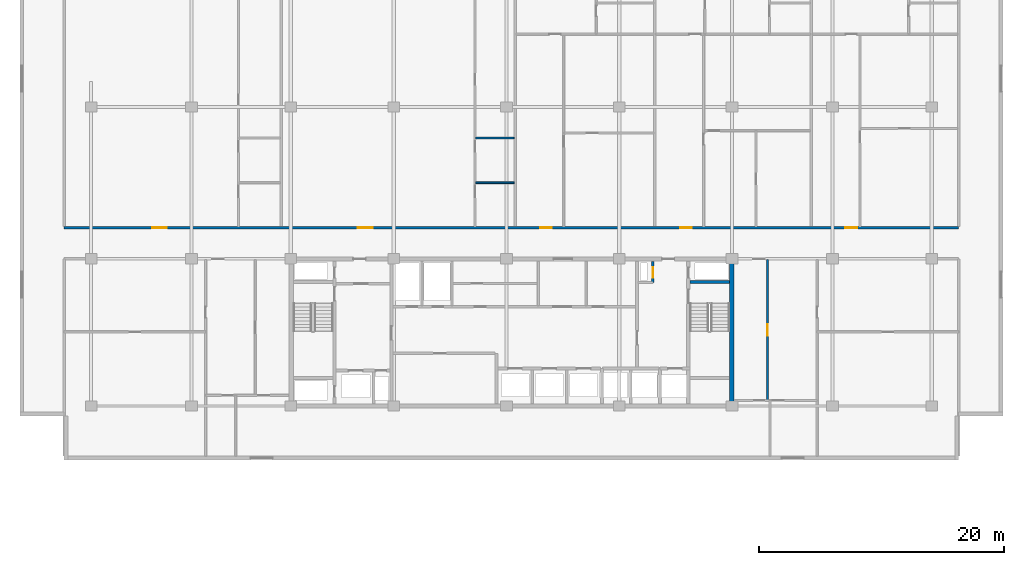
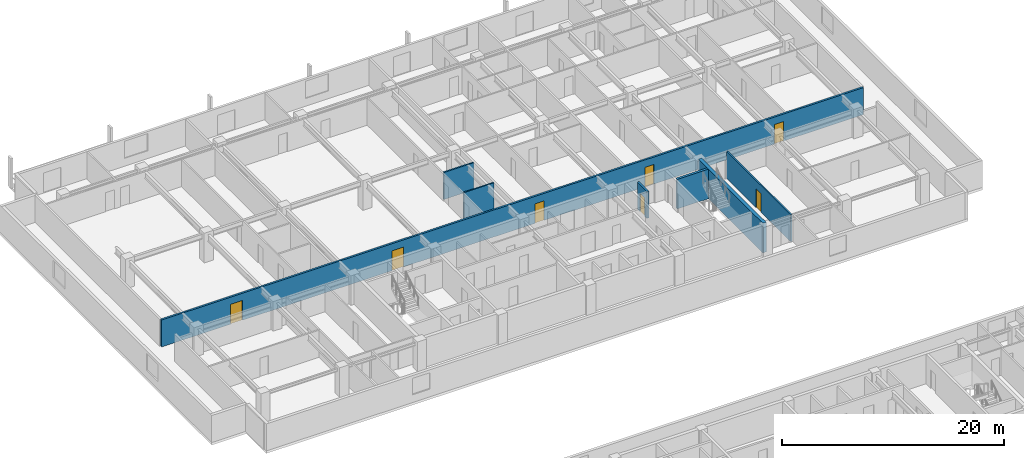
# One storey, part 12 of 21: 7 doors, 7 walls, 7 openings.
"""IFC4 building model written with IfcOpenShell, lengths in metres."""

from ifc_helpers import new_model, si_unit, direction, frame, frame_2d, origin, place, context, subcontext, project, spatial, rectangle, extrude, material, layer, layer_set, type_object, element, fill, save


model = new_model("IFC4")

# Units and contexts
model_context = context("Model", 3, precision=1e-05, world=origin(), true_north=direction((0.0, 1.0)))
body_context = subcontext(model_context, "Body", "Model", "MODEL_VIEW")
ifc_project = project(units=[si_unit("LENGTHUNIT", "METRE"), si_unit("AREAUNIT", "SQUARE_METRE"), si_unit("VOLUMEUNIT", "CUBIC_METRE"), si_unit("PLANEANGLEUNIT", "RADIAN"), si_unit("MASSUNIT", "GRAM", prefix="KILO")], contexts=[model_context])

# Site, building, storey
site_placement = place(None, origin())
site = spatial("IfcSite", under=ifc_project, at=site_placement, CompositionType="ELEMENT")
building_placement = place(site_placement, origin())
building = spatial("IfcBuilding", under=site, at=building_placement, Name="Korimba Cascade Residences", CompositionType="ELEMENT")
storey_placement = place(building_placement, frame((0.0, 0.0, 113.300048828125)))
storey = spatial("IfcBuildingStorey", under=building, at=storey_placement, Name="L32", CompositionType="ELEMENT", Elevation=113.300048828125)

# Wall
ifc_material_1 = material(Name="Concrete C65/80", Category="concrete")
ifc_layer_1 = layer(ifc_material_1, 0.35009765625)
ifc_layer_set_1 = layer_set([ifc_layer_1], Name="Concrete C65/80")
wall_type_1 = type_object("IfcWallType", Name="WAL-CORE-350", PredefinedType="SHEAR", material=ifc_layer_set_1)
wall_1_placement = place(storey_placement, frame((112.074951171875, 55.375, 0.0), z_axis=(0.0, 0.0, 1.0), x_axis=(0.0, 1.0, 0.0)))
element("IfcWall", 1, at=wall_1_placement, inside=storey, type_object=wall_type_1, Name="L32 Core Shear Wall CW-L32-T1-E", PredefinedType="SHEAR", context=body_context, shape_type="SweptSolid", body=[
    extrude(rectangle(XDim=11.64990234375, YDim=0.35009765625, at=frame_2d((5.824951171875, 0.0))), origin(), (0.0, 0.0, 1.0), 3.25),
])

# Wall, openings, doors
ifc_material_2 = material(Name="Precast concrete C40/50", Category="concrete")
ifc_layer_2 = layer(ifc_material_2, 0.199951171875)
ifc_layer_set_2 = layer_set([ifc_layer_2], Name="Precast concrete C40/50")
wall_type_2 = type_object("IfcWallType", Name="WAL-IT-200", PredefinedType="PARTITIONING", material=ifc_layer_set_2)
wall_2_placement = place(storey_placement, frame((57.60009765625, 69.75, 0.0), z_axis=(0.0, 0.0, 1.0), x_axis=(1.0, 0.0, 0.0)))
wall_2 = element("IfcWall", 2, at=wall_2_placement, inside=storey, type_object=wall_type_2, Name="L32 Partition Wall WAL-L32-T1-CORN", PredefinedType="PARTITIONING", context=body_context, shape_type="SweptSolid", body=[
    extrude(rectangle(XDim=73.0, YDim=0.199951171875, at=frame_2d((36.5, 0.0))), origin(), (0.0, 0.0, 1.0), 2.969970703125),
])
opening_1_placement = place(wall_2_placement, frame((7.17236328125, 0.0, 0.0)))
opening_1 = element("IfcOpeningElement", 3, at=opening_1_placement, cuts=wall_2, Name="Opening D-AM1", PredefinedType="OPENING", context=body_context, shape_type="SweptSolid", body=[
    extrude(rectangle(XDim=1.219970703125, YDim=2.179931640625, at=frame_2d((0.60986328125, 1.08984375))), frame((0.0, 0.10986328125, 0.0), z_axis=(0.0, -1.0, 0.0), x_axis=(1.0, 0.0, 0.0)), (0.0, 0.0, 1.0), 0.219970703125),
])
opening_2_placement = place(wall_2_placement, frame((23.96044921875, 0.0, 0.0)))
opening_2 = element("IfcOpeningElement", 4, at=opening_2_placement, cuts=wall_2, Name="Opening D-AM1", PredefinedType="OPENING", context=body_context, shape_type="SweptSolid", body=[
    extrude(rectangle(XDim=1.219970703125, YDim=2.179931640625, at=frame_2d((0.60986328125, 1.08984375))), frame((0.0, 0.10986328125, 0.0), z_axis=(0.0, -1.0, 0.0), x_axis=(1.0, 0.0, 0.0)), (0.0, 0.0, 1.0), 0.219970703125),
])
opening_3_placement = place(wall_2_placement, frame((38.845703125, 0.0, 0.0)))
opening_3 = element("IfcOpeningElement", 5, at=opening_3_placement, cuts=wall_2, Name="Opening D-UN1", PredefinedType="OPENING", context=body_context, shape_type="SweptSolid", body=[
    extrude(rectangle(XDim=0.949951171875, YDim=2.14990234375, at=frame_2d((0.47509765625, 1.074951171875))), frame((0.0, 0.10986328125, 0.0), z_axis=(0.0, -1.0, 0.0), x_axis=(1.0, 0.0, 0.0)), (0.0, 0.0, 1.0), 0.219970703125),
])
opening_4_placement = place(wall_2_placement, frame((50.26171875, 0.0, 0.0)))
opening_4 = element("IfcOpeningElement", 6, at=opening_4_placement, cuts=wall_2, Name="Opening D-UN1", PredefinedType="OPENING", context=body_context, shape_type="SweptSolid", body=[
    extrude(rectangle(XDim=0.949951171875, YDim=2.14990234375, at=frame_2d((0.47509765625, 1.074951171875))), frame((0.0, 0.10986328125, 0.0), z_axis=(0.0, -1.0, 0.0), x_axis=(1.0, 0.0, 0.0)), (0.0, 0.0, 1.0), 0.219970703125),
])
opening_5_placement = place(wall_2_placement, frame((63.75390625, 0.0, 0.0)))
opening_5 = element("IfcOpeningElement", 7, at=opening_5_placement, cuts=wall_2, Name="Opening D-UN1", PredefinedType="OPENING", context=body_context, shape_type="SweptSolid", body=[
    extrude(rectangle(XDim=0.949951171875, YDim=2.14990234375, at=frame_2d((0.47509765625, 1.074951171875))), frame((0.0, 0.10986328125, 0.0), z_axis=(0.0, -1.0, 0.0), x_axis=(1.0, 0.0, 0.0)), (0.0, 0.0, 1.0), 0.219970703125),
])
ifc_material_3 = material(Name="Fire-Rated Glazed Timber Suite Door", Category="wood")
door_type_1 = type_object("IfcDoorType", Name="DR-FD60-1200", OperationType="NOTDEFINED", PredefinedType="DOOR", material=ifc_material_3)
door_1_placement = place(opening_1_placement, origin())
door_1 = element("IfcDoor", 8, at=door_1_placement, inside=storey, type_object=door_type_1, Name="L32-T1-U01 Executive Co-Working Office Door", OperationType="SINGLE_SWING_LEFT", OverallHeight=2.179931640625, OverallWidth=1.219970703125, PredefinedType="DOOR", context=body_context, shape_type="SweptSolid", body=[
    extrude(rectangle(XDim=1.219970703125, YDim=2.179931640625, at=frame_2d((0.60986328125, 1.08984375))), frame((0.0, 0.02490234375, 0.0), z_axis=(0.0, -1.0, 0.0), x_axis=(1.0, 0.0, 0.0)), (0.0, 0.0, 1.0), 0.050048828125),
])
fill(opening_1, door_1)
door_2_placement = place(opening_2_placement, origin())
door_2 = element("IfcDoor", 9, at=door_2_placement, inside=storey, type_object=door_type_1, Name="L32-T1-U02 Executive Co-Working Office Door", OperationType="SINGLE_SWING_RIGHT", OverallHeight=2.179931640625, OverallWidth=1.219970703125, PredefinedType="DOOR", context=body_context, shape_type="SweptSolid", body=[
    extrude(rectangle(XDim=1.219970703125, YDim=2.179931640625, at=frame_2d((0.60986328125, 1.08984375))), frame((0.0, 0.02490234375, 0.0), z_axis=(0.0, -1.0, 0.0), x_axis=(1.0, 0.0, 0.0)), (0.0, 0.0, 1.0), 0.050048828125),
])
fill(opening_2, door_2)
ifc_material_4 = material(Name="Fire-Rated Hardwood Apartment Entrance Door", Category="wood")
door_type_2 = type_object("IfcDoorType", Name="DR-FD60-950", OperationType="NOTDEFINED", PredefinedType="DOOR", material=ifc_material_4)
door_3_placement = place(opening_3_placement, origin())
door_3 = element("IfcDoor", 10, at=door_3_placement, inside=storey, type_object=door_type_2, Name="Unit L32-T1-U03 Entrance Door", OperationType="SINGLE_SWING_LEFT", OverallHeight=2.14990234375, OverallWidth=0.949951171875, PredefinedType="DOOR", context=body_context, shape_type="SweptSolid", body=[
    extrude(rectangle(XDim=0.949951171875, YDim=2.14990234375, at=frame_2d((0.47509765625, 1.074951171875))), frame((0.0, 0.02490234375, 0.0), z_axis=(0.0, -1.0, 0.0), x_axis=(1.0, 0.0, 0.0)), (0.0, 0.0, 1.0), 0.050048828125),
])
fill(opening_3, door_3)
door_4_placement = place(opening_4_placement, origin())
door_4 = element("IfcDoor", 11, at=door_4_placement, inside=storey, type_object=door_type_2, Name="Unit L32-T1-U04 Entrance Door", OperationType="SINGLE_SWING_RIGHT", OverallHeight=2.14990234375, OverallWidth=0.949951171875, PredefinedType="DOOR", context=body_context, shape_type="SweptSolid", body=[
    extrude(rectangle(XDim=0.949951171875, YDim=2.14990234375, at=frame_2d((0.47509765625, 1.074951171875))), frame((0.0, 0.02490234375, 0.0), z_axis=(0.0, -1.0, 0.0), x_axis=(1.0, 0.0, 0.0)), (0.0, 0.0, 1.0), 0.050048828125),
])
fill(opening_4, door_4)
door_5_placement = place(opening_5_placement, origin())
door_5 = element("IfcDoor", 12, at=door_5_placement, inside=storey, type_object=door_type_2, Name="Unit L32-T1-U05 Entrance Door", OperationType="SINGLE_SWING_LEFT", OverallHeight=2.14990234375, OverallWidth=0.949951171875, PredefinedType="DOOR", context=body_context, shape_type="SweptSolid", body=[
    extrude(rectangle(XDim=0.949951171875, YDim=2.14990234375, at=frame_2d((0.47509765625, 1.074951171875))), frame((0.0, 0.02490234375, 0.0), z_axis=(0.0, -1.0, 0.0), x_axis=(1.0, 0.0, 0.0)), (0.0, 0.0, 1.0), 0.050048828125),
])
fill(opening_5, door_5)

# Wall, opening, door
ifc_material_5 = material(Name="Insulated Acoustic Stud Partition", Category="gypsum")
ifc_layer_3 = layer(ifc_material_5, 0.14990234375)
ifc_layer_set_3 = layer_set([ifc_layer_3], Name="Insulated Acoustic Stud Partition")
wall_type_3 = type_object("IfcWallType", Name="WAL-PART-150", PredefinedType="PARTITIONING", material=ifc_layer_set_3)
wall_3_placement = place(storey_placement, frame((115.0, 55.64990234375, 0.0), z_axis=(0.0, 0.0, 1.0), x_axis=(0.0, 1.0, 0.0)))
wall_3 = element("IfcWall", 13, at=wall_3_placement, inside=storey, type_object=wall_type_3, Name="L32 Partition Wall WAL-L32-T1-FE-VN", PredefinedType="PARTITIONING", context=body_context, shape_type="SweptSolid", body=[
    extrude(rectangle(XDim=11.5, YDim=0.14990234375, at=frame_2d((5.75, 0.0))), origin(), (0.0, 0.0, 1.0), 2.969970703125),
])
opening_6_placement = place(wall_3_placement, frame((5.2900390625, 0.0, 0.0)))
opening_6 = element("IfcOpeningElement", 14, at=opening_6_placement, cuts=wall_3, Name="Opening D-IN1", PredefinedType="OPENING", context=body_context, shape_type="SweptSolid", body=[
    extrude(rectangle(XDim=0.919921875, YDim=2.080078125, at=frame_2d((0.4599609375, 1.0400390625))), frame((0.0, 0.0849609375, 0.0), z_axis=(0.0, -1.0, 0.0), x_axis=(1.0, 0.0, 0.0)), (0.0, 0.0, 1.0), 0.169921875),
])
ifc_material_6 = material(Name="Acoustic Timber Living Door", Category="wood")
door_type_3 = type_object("IfcDoorType", Name="DR-INT-920", OperationType="NOTDEFINED", PredefinedType="DOOR", material=ifc_material_6)
door_6_placement = place(opening_6_placement, origin())
door_6 = element("IfcDoor", 15, at=door_6_placement, inside=storey, type_object=door_type_3, Name="L32-T1-FE Living Door", OperationType="SINGLE_SWING_RIGHT", OverallHeight=2.080078125, OverallWidth=0.919921875, PredefinedType="DOOR", context=body_context, shape_type="SweptSolid", body=[
    extrude(rectangle(XDim=0.919921875, YDim=2.080078125, at=frame_2d((0.4599609375, 1.0400390625))), frame((0.0, 0.02490234375, 0.0), z_axis=(0.0, -1.0, 0.0), x_axis=(1.0, 0.0, 0.0)), (0.0, 0.0, 1.0), 0.050048828125),
])
fill(opening_6, door_6)

# Walls
for number, where, z_axis, x_axis, name in (
    (16, (91.190673828125, 73.419921875, 0.0), (0.0, 0.0, 1.0), (1.0, 0.0, 0.0), "L32 Partition Wall WAL-L32-T1-U02-WCH"),
    (17, (91.190673828125, 77.070068359375, 0.0), (0.0, 0.0, 1.0), (1.0, 0.0, 0.0), "L32 Partition Wall WAL-L32-T1-U02-WCH2"),
):
    element("IfcWall", number, at=place(storey_placement, frame(where, z_axis=z_axis, x_axis=x_axis)), inside=storey, type_object=wall_type_3, Name=name, PredefinedType="PARTITIONING", context=body_context, shape_type="SweptSolid", body=[
        extrude(rectangle(XDim=3.1298828125, YDim=0.14990234375, at=frame_2d((1.56494140625, 0.0))), origin(), (0.0, 0.0, 1.0), 2.969970703125),
    ])

# Wall, opening, door
ifc_material_7 = material(Name="Concrete C40/50", Category="concrete")
ifc_layer_4 = layer(ifc_material_7, 0.199951171875)
ifc_layer_set_4 = layer_set([ifc_layer_4], Name="Concrete C40/50")
wall_type_4 = type_object("IfcWallType", Name="WAL-PART-200", PredefinedType="PARTITIONING", material=ifc_layer_set_4)
wall_4_placement = place(storey_placement, frame((105.64990234375, 65.280029296875, 0.0), z_axis=(0.0, 0.0, 1.0), x_axis=(0.0, 1.0, 0.0)))
wall_4 = element("IfcWall", 18, at=wall_4_placement, inside=storey, type_object=wall_type_4, Name="L32 Partition Wall CW-L32-T1-HYDW2E", PredefinedType="PARTITIONING", context=body_context, shape_type="SweptSolid", body=[
    extrude(rectangle(XDim=1.719970703125, YDim=0.199951171875, at=frame_2d((0.85986328125, 0.0))), origin(), (0.0, 0.0, 1.0), 2.969970703125),
])
opening_7_placement = place(wall_4_placement, frame((0.39990234375, 0.0, 0.0)))
opening_7 = element("IfcOpeningElement", 19, at=opening_7_placement, cuts=wall_4, Name="Opening D-RS1", PredefinedType="OPENING", context=body_context, shape_type="SweptSolid", body=[
    extrude(rectangle(XDim=0.85009765625, YDim=2.050048828125, at=frame_2d((0.425048828125, 1.02490234375))), frame((0.0, 0.10986328125, 0.0), z_axis=(0.0, -1.0, 0.0), x_axis=(1.0, 0.0, 0.0)), (0.0, 0.0, 1.0), 0.219970703125),
])
ifc_material_8 = material(Name="Fire-Rated Steel Riser Access Door", Category="steel")
door_type_4 = type_object("IfcDoorType", Name="DR-FD60-850", OperationType="NOTDEFINED", PredefinedType="DOOR", material=ifc_material_8)
door_7_placement = place(opening_7_placement, origin())
door_7 = element("IfcDoor", 20, at=door_7_placement, inside=storey, type_object=door_type_4, Name="L32 East Hydrant Door", OperationType="SINGLE_SWING_RIGHT", OverallHeight=2.050048828125, OverallWidth=0.85009765625, PredefinedType="DOOR", context=body_context, shape_type="SweptSolid", body=[
    extrude(rectangle(XDim=0.85009765625, YDim=2.050048828125, at=frame_2d((0.425048828125, 1.02490234375))), frame((0.0, 0.02490234375, 0.0), z_axis=(0.0, -1.0, 0.0), x_axis=(1.0, 0.0, 0.0)), (0.0, 0.0, 1.0), 0.050048828125),
])
fill(opening_7, door_7)

# Wall
ifc_material_9 = material(Name="Concrete C50/60", Category="concrete")
ifc_layer_5 = layer(ifc_material_9, 0.25)
ifc_layer_set_5 = layer_set([ifc_layer_5], Name="Concrete C50/60")
wall_type_5 = type_object("IfcWallType", Name="WAL-SHAFT-250", PredefinedType="SHEAR", material=ifc_layer_set_5)
wall_5_placement = place(storey_placement, frame((108.659912109375, 65.324951171875, 0.0), z_axis=(0.0, 0.0, 1.0), x_axis=(1.0, 0.0, 0.0)))
element("IfcWall", 21, at=wall_5_placement, inside=storey, type_object=wall_type_5, Name="L32 Core Shear Wall CW-L32-T1-STW2N", PredefinedType="SHEAR", context=body_context, shape_type="SweptSolid", body=[
    extrude(rectangle(XDim=3.239990234375, YDim=0.25, at=frame_2d((1.6201171875, 0.0))), origin(), (0.0, 0.0, 1.0), 3.25),
])

save(model, "model.ifc")
